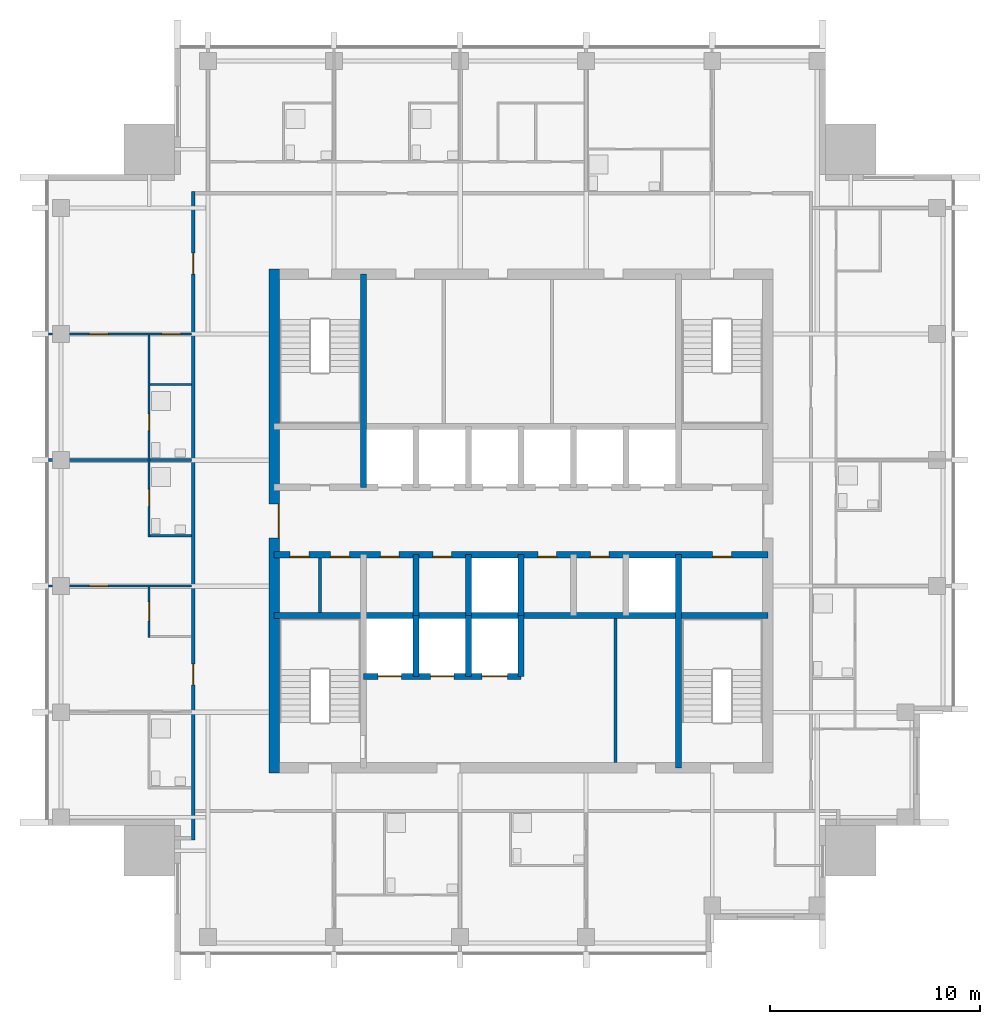
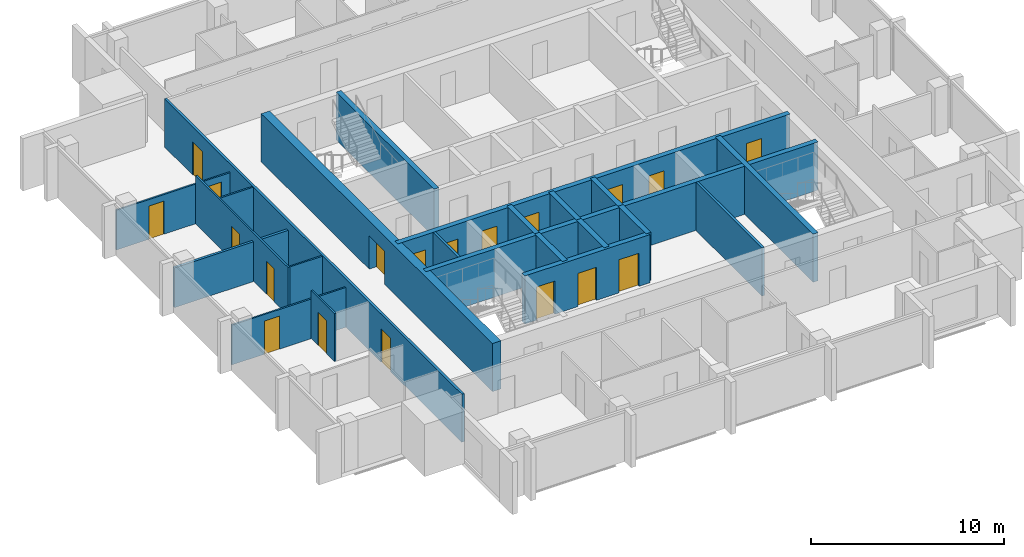
# One storey, part 4 of 9: 22 walls, 19 doors, 19 openings.
"""IFC4 building model written with IfcOpenShell, lengths in metres."""

import ifcopenshell
import ifcopenshell.guid

model = None  # the IFC model being written
_history = None  # IfcOwnerHistory: only IFC2X3 demands one
_inside = {}  # id of a spatial element -> (the spatial element, [elements in it])
_under = {}  # id of a project, library or spatial element -> (it, [spatial elements below it])
_declared = {}  # id of a project -> (the project, [libraries it declares])
_typed = {}  # id of a type object -> (the type object, [elements of that type])
_made_of = {}  # id of a material, layer set ... -> (it, [elements and type objects made of it])


def new_model(schema):
    """Start an empty IFC model of exactly this schema.

    Asked for "IFC4X3", IfcOpenShell would pick the latest addendum, in which some entities
    have other attributes; the version numbers below select the first issue.
    IFC2X3 requires an IfcOwnerHistory on every rooted entity: one is made here for all.
    """
    global model, _history
    if schema == "IFC4X3":
        model = ifcopenshell.file(schema_version=(4, 3, 0, 0))
    else:
        model = ifcopenshell.file(schema=schema)
    _inside.clear()
    _under.clear()
    _declared.clear()
    _typed.clear()
    _made_of.clear()
    _history = None
    if model.schema == "IFC2X3":
        org = make("IfcOrganization", Name="unknown")
        user = make(
            "IfcPersonAndOrganization",
            ThePerson=make("IfcPerson", FamilyName="unknown"),
            TheOrganization=org,
        )
        app = make(
            "IfcApplication",
            ApplicationDeveloper=org,
            Version="unknown",
            ApplicationFullName="unknown",
            ApplicationIdentifier="unknown",
        )
        _history = make(
            "IfcOwnerHistory",
            OwningUser=user,
            OwningApplication=app,
            ChangeAction="ADDED",
            CreationDate=0,
        )
    return model


def make(cls, **values):
    """One entity of the class cls with the attributes given. An attribute that is None is left unset."""
    return model.create_entity(
        cls, **{name: value for name, value in values.items() if value is not None}
    )


def rooted(cls, **values):
    """An entity with a GlobalId (a new one), such as an element, a storey or a relation."""
    return make(cls, GlobalId=ifcopenshell.guid.new(), OwnerHistory=_history, **values)


def si_unit(unit_type, name, prefix=None):
    """IfcSIUnit, for example si_unit("LENGTHUNIT", "METRE", prefix="MILLI")."""
    return make("IfcSIUnit", UnitType=unit_type, Prefix=prefix, Name=name)


def assignment(units):
    """IfcUnitAssignment: the units of a project."""
    return None if units is None else make("IfcUnitAssignment", Units=units)


def point(xyz):
    """IfcCartesianPoint."""
    return None if xyz is None else make("IfcCartesianPoint", Coordinates=xyz)


def direction(xyz):
    """IfcDirection."""
    return None if xyz is None else make("IfcDirection", DirectionRatios=xyz)


def frame(location, z_axis=None, x_axis=None):
    """IfcAxis2Placement3D, a coordinate frame: its origin and axes. An axis left out is left unset."""
    return make(
        "IfcAxis2Placement3D",
        Location=point(location),
        Axis=direction(z_axis),
        RefDirection=direction(x_axis),
    )


def frame_2d(location, x_axis=None):
    """IfcAxis2Placement2D, a coordinate frame in the plane: its origin and x axis."""
    return make(
        "IfcAxis2Placement2D", Location=point(location), RefDirection=direction(x_axis)
    )


def origin():
    """The frame at (0, 0, 0) with its axes left unset."""
    return frame((0.0, 0.0, 0.0))


def place(relative_to, where):
    """IfcLocalPlacement: puts the frame where relative to a parent placement (None: the world)."""
    return make(
        "IfcLocalPlacement", PlacementRelTo=relative_to, RelativePlacement=where
    )


def context(
    kind, dimensions, precision=None, world=None, true_north=None, identifier=None
):
    """IfcGeometricRepresentationContext, for example the 3D "Model" context."""
    return make(
        "IfcGeometricRepresentationContext",
        ContextIdentifier=identifier,
        ContextType=kind,
        CoordinateSpaceDimension=dimensions,
        Precision=precision,
        WorldCoordinateSystem=world,
        TrueNorth=true_north,
    )


def subcontext(parent, identifier, kind, view, scale=None):
    """IfcGeometricRepresentationSubContext, for example "Body" below "Model"."""
    return make(
        "IfcGeometricRepresentationSubContext",
        ContextIdentifier=identifier,
        ContextType=kind,
        ParentContext=parent,
        TargetScale=scale,
        TargetView=view,
    )


def project(units=None, contexts=None):
    """IfcProject with its units and contexts."""
    return rooted(
        "IfcProject",
        Name="project",
        RepresentationContexts=contexts,
        UnitsInContext=assignment(units),
    )


def spatial(cls, under=None, at=None, **own):
    """A site, building, storey or space (cls), placed at a placement, below another one or the project."""
    s = rooted(cls, ObjectPlacement=at, **own)
    if under is not None:
        _under.setdefault(under.id(), (under, []))[1].append(s)
    return s


def profile(cls, at=None, kind="AREA", **sizes):
    """A parametric profile (cls). Its sizes go by their IFC names, for example OverallWidth=200.0."""
    return make(cls, ProfileType=kind, Position=at, **sizes)


def rectangle(**sizes):
    """IfcRectangleProfileDef."""
    return profile("IfcRectangleProfileDef", **sizes)


def extrude(swept, where, along, depth):
    """IfcExtrudedAreaSolid: the profile swept, set in the frame where, extruded along a direction by depth."""
    return make(
        "IfcExtrudedAreaSolid",
        SweptArea=swept,
        Position=where,
        ExtrudedDirection=direction(along),
        Depth=depth,
    )


def shape(context_of_items, identifier, shape_type, items):
    """IfcShapeRepresentation: the items that make up one representation, for example the "Body"."""
    return make(
        "IfcShapeRepresentation",
        ContextOfItems=context_of_items,
        RepresentationIdentifier=identifier,
        RepresentationType=shape_type,
        Items=items,
    )


def material(Name=None, Category=None):
    """IfcMaterial."""
    return make("IfcMaterial", Name=Name, Category=Category)


def layer(
    of_material, thickness, ventilated=None, Name=None, Category=None, Priority=None
):
    """IfcMaterialLayer: one layer of a wall or slab, of a material (None: an air gap)."""
    return make(
        "IfcMaterialLayer",
        Material=of_material,
        LayerThickness=thickness,
        IsVentilated=ventilated,
        Name=Name,
        Category=Category,
        Priority=Priority,
    )


def layer_set(layers, Name=None):
    """IfcMaterialLayerSet."""
    return make("IfcMaterialLayerSet", MaterialLayers=layers, LayerSetName=Name)


def made_of(thing, what):
    """Note that an element or type object is made of a material, layer set ...; save() writes the relation."""
    if what is not None:
        _made_of.setdefault(what.id(), (what, []))[1].append(thing)
    return thing


def type_object(cls, material=None, **own):
    """A type object (cls), such as IfcWallType, which elements share."""
    return made_of(rooted(cls, **own), material)


def element(
    cls,
    number,
    at=None,
    inside=None,
    cuts=None,
    type_object=None,
    material=None,
    context=None,
    identifier="Body",
    shape_type=None,
    held_by="IfcProductDefinitionShape",
    body=None,
    shapes=None,
    **own,
):
    """One element of the class cls, such as IfcWall. Its Tag is "e" and its number.

    at: its placement. inside: the storey or other place that contains it. cuts: it is an
    opening in that element (IfcRelVoidsElement). A single representation is given by context,
    identifier, shape_type and body (its items); several are given by shapes. held_by: the class
    of the entity that holds the representations. save() writes the other relations.
    """
    e = rooted(cls, Tag="e%d" % number, ObjectPlacement=at, **own)
    if body is not None:
        shapes = [shape(context, identifier, shape_type, body)]
    if shapes is not None:
        e.Representation = make(held_by, Representations=shapes)
    if inside is not None:
        _inside.setdefault(inside.id(), (inside, []))[1].append(e)
    if cuts is not None:
        rooted(
            "IfcRelVoidsElement", RelatingBuildingElement=cuts, RelatedOpeningElement=e
        )
    if type_object is not None:
        _typed.setdefault(type_object.id(), (type_object, []))[1].append(e)
    return made_of(e, material)


def fill(opening, filler):
    """IfcRelFillsElement: the door or window that sits in an opening."""
    return rooted(
        "IfcRelFillsElement",
        RelatingOpeningElement=opening,
        RelatedBuildingElement=filler,
    )


def aggregate(whole, parts):
    """IfcRelAggregates: a whole, such as a stair, and the parts it consists of."""
    return rooted("IfcRelAggregates", RelatingObject=whole, RelatedObjects=parts)


def save(model, path):
    """Write the relations noted so far, then the file.

    IfcRelAggregates (storeys below a building ...), IfcRelContainedInSpatialStructure (elements
    in a storey), IfcRelDefinesByType, IfcRelAssociatesMaterial and IfcRelDeclares: one each for
    every whole, place, type object, material and project.
    """
    for whole, parts in _under.values():
        aggregate(whole, parts)
    for where, things in _inside.values():
        rooted(
            "IfcRelContainedInSpatialStructure",
            RelatedElements=things,
            RelatingStructure=where,
        )
    for kind, things in _typed.values():
        rooted("IfcRelDefinesByType", RelatedObjects=things, RelatingType=kind)
    for what, things in _made_of.values():
        rooted("IfcRelAssociatesMaterial", RelatedObjects=things, RelatingMaterial=what)
    for by, libraries in _declared.values():
        rooted("IfcRelDeclares", RelatingContext=by, RelatedDefinitions=libraries)
    model.write(path)


model = new_model("IFC4")

# Units and contexts
model_context = context("Model", 3, precision=1e-05, world=origin(), true_north=direction((0.0, 1.0)))
body_context = subcontext(model_context, "Body", "Model", "MODEL_VIEW")
ifc_project = project(units=[si_unit("LENGTHUNIT", "METRE"), si_unit("AREAUNIT", "SQUARE_METRE"), si_unit("VOLUMEUNIT", "CUBIC_METRE"), si_unit("PLANEANGLEUNIT", "RADIAN"), si_unit("MASSUNIT", "GRAM", prefix="KILO")], contexts=[model_context])

# Site, building, storey
site_placement = place(None, origin())
site = spatial("IfcSite", under=ifc_project, at=site_placement, CompositionType="ELEMENT")
building_placement = place(site_placement, origin())
building = spatial("IfcBuilding", under=site, at=building_placement, Name="Amberfall Residences", CompositionType="ELEMENT")
storey_placement = place(building_placement, frame((0.0, 0.0, 252.10009765625)))
storey = spatial("IfcBuildingStorey", under=building, at=storey_placement, Name="L67", CompositionType="ELEMENT", Elevation=252.10009765625)

# Wall
ifc_material_1 = material(Name="Concrete C50", Category="concrete")
ifc_layer_1 = layer(ifc_material_1, 0.300048828125)
ifc_layer_set_1 = layer_set([ifc_layer_1], Name="Core wall 300 C50")
wall_type_1 = type_object("IfcWallType", Name="Core wall 300 C50", PredefinedType="SHEAR", material=ifc_layer_set_1)
wall_1_placement = place(storey_placement, frame((62.75, 41.0, 0.0), z_axis=(0.0, 0.0, 1.0), x_axis=(1.0, 0.0, 0.0)))
element("IfcWall", 1, at=wall_1_placement, inside=storey, type_object=wall_type_1, Name="Core wall RW10 L67 H75", PredefinedType="SHEAR", context=body_context, shape_type="SweptSolid", body=[
    extrude(rectangle(XDim=23.5, YDim=0.300048828125, at=frame_2d((11.75, 0.0))), origin(), (0.0, 0.0, 1.0), 3.0498046875),
])

# Wall, openings, doors
wall_2_placement = place(storey_placement, frame((62.75, 43.89990234375, 0.0), z_axis=(0.0, 0.0, 1.0), x_axis=(1.0, 0.0, 0.0)))
wall_2 = element("IfcWall", 2, at=wall_2_placement, inside=storey, type_object=wall_type_1, Name="Core wall RW10 L67 H104", PredefinedType="SHEAR", context=body_context, shape_type="SweptSolid", body=[
    extrude(rectangle(XDim=23.5, YDim=0.300048828125, at=frame_2d((11.75, 0.0))), origin(), (0.0, 0.0, 1.0), 3.0498046875),
])
opening_1_placement = place(wall_2_placement, frame((0.762451171875, 0.0, 0.0)))
opening_1 = element("IfcOpeningElement", 3, at=opening_1_placement, cuts=wall_2, Name="Opening RD1", PredefinedType="OPENING", context=body_context, shape_type="SweptSolid", body=[
    extrude(rectangle(XDim=0.89990234375, YDim=2.10009765625, at=frame_2d((0.449951171875, 1.050048828125))), frame((0.0, 0.159912109375, 0.0), z_axis=(0.0, -1.0, 0.0), x_axis=(1.0, 0.0, 0.0)), (0.0, 0.0, 1.0), 0.320068359375),
])
opening_2_placement = place(wall_2_placement, frame((2.6875, 0.0, 0.0)))
opening_2 = element("IfcOpeningElement", 4, at=opening_2_placement, cuts=wall_2, Name="Opening RD1", PredefinedType="OPENING", context=body_context, shape_type="SweptSolid", body=[
    extrude(rectangle(XDim=0.89990234375, YDim=2.10009765625, at=frame_2d((0.449951171875, 1.050048828125))), frame((0.0, 0.159912109375, 0.0), z_axis=(0.0, -1.0, 0.0), x_axis=(1.0, 0.0, 0.0)), (0.0, 0.0, 1.0), 0.320068359375),
])
opening_3_placement = place(wall_2_placement, frame((20.875, 0.0, 0.0)))
opening_3 = element("IfcOpeningElement", 5, at=opening_3_placement, cuts=wall_2, Name="Opening RD1", PredefinedType="OPENING", context=body_context, shape_type="SweptSolid", body=[
    extrude(rectangle(XDim=0.89990234375, YDim=2.10009765625, at=frame_2d((0.449951171875, 1.050048828125))), frame((0.0, 0.159912109375, 0.0), z_axis=(0.0, -1.0, 0.0), x_axis=(1.0, 0.0, 0.0)), (0.0, 0.0, 1.0), 0.320068359375),
])
opening_4_placement = place(wall_2_placement, frame((5.050048828125, 0.0, 0.0)))
opening_4 = element("IfcOpeningElement", 6, at=opening_4_placement, cuts=wall_2, Name="Opening RD1", PredefinedType="OPENING", context=body_context, shape_type="SweptSolid", body=[
    extrude(rectangle(XDim=0.89990234375, YDim=2.10009765625, at=frame_2d((0.449951171875, 1.050048828125))), frame((0.0, 0.159912109375, 0.0), z_axis=(0.0, -1.0, 0.0), x_axis=(1.0, 0.0, 0.0)), (0.0, 0.0, 1.0), 0.320068359375),
])
opening_5_placement = place(wall_2_placement, frame((7.550048828125, 0.0, 0.0)))
opening_5 = element("IfcOpeningElement", 7, at=opening_5_placement, cuts=wall_2, Name="Opening RD1", PredefinedType="OPENING", context=body_context, shape_type="SweptSolid", body=[
    extrude(rectangle(XDim=0.89990234375, YDim=2.10009765625, at=frame_2d((0.449951171875, 1.050048828125))), frame((0.0, 0.159912109375, 0.0), z_axis=(0.0, -1.0, 0.0), x_axis=(1.0, 0.0, 0.0)), (0.0, 0.0, 1.0), 0.320068359375),
])
opening_6_placement = place(wall_2_placement, frame((12.550048828125, 0.0, 0.0)))
opening_6 = element("IfcOpeningElement", 8, at=opening_6_placement, cuts=wall_2, Name="Opening RD1", PredefinedType="OPENING", context=body_context, shape_type="SweptSolid", body=[
    extrude(rectangle(XDim=0.89990234375, YDim=2.10009765625, at=frame_2d((0.449951171875, 1.050048828125))), frame((0.0, 0.159912109375, 0.0), z_axis=(0.0, -1.0, 0.0), x_axis=(1.0, 0.0, 0.0)), (0.0, 0.0, 1.0), 0.320068359375),
])
opening_7_placement = place(wall_2_placement, frame((15.050048828125, 0.0, 0.0)))
opening_7 = element("IfcOpeningElement", 9, at=opening_7_placement, cuts=wall_2, Name="Opening RD1", PredefinedType="OPENING", context=body_context, shape_type="SweptSolid", body=[
    extrude(rectangle(XDim=0.89990234375, YDim=2.10009765625, at=frame_2d((0.449951171875, 1.050048828125))), frame((0.0, 0.159912109375, 0.0), z_axis=(0.0, -1.0, 0.0), x_axis=(1.0, 0.0, 0.0)), (0.0, 0.0, 1.0), 0.320068359375),
])
ifc_material_2 = material(Name="Steel fire door set", Category="steel")
door_type_1 = type_object("IfcDoorType", Name="Service room door 900 x 2100", OperationType="SINGLE_SWING_LEFT", PredefinedType="DOOR", material=ifc_material_2)
door_1_placement = place(opening_1_placement, origin())
door_1 = element("IfcDoor", 10, at=door_1_placement, inside=storey, type_object=door_type_1, Name="RD1 L67", OperationType="SINGLE_SWING_LEFT", OverallHeight=2.10009765625, OverallWidth=0.89990234375, PredefinedType="DOOR", context=body_context, shape_type="SweptSolid", body=[
    extrude(rectangle(XDim=0.89990234375, YDim=2.10009765625, at=frame_2d((0.449951171875, 1.050048828125))), frame((0.0, -0.08740234375, 0.0), z_axis=(0.0, -1.0, 0.0), x_axis=(1.0, 0.0, 0.0)), (0.0, 0.0, 1.0), 0.050048828125),
])
fill(opening_1, door_1)
door_2_placement = place(opening_2_placement, origin())
door_2 = element("IfcDoor", 11, at=door_2_placement, inside=storey, type_object=door_type_1, Name="RD1 L67", OperationType="SINGLE_SWING_RIGHT", OverallHeight=2.10009765625, OverallWidth=0.89990234375, PredefinedType="DOOR", context=body_context, shape_type="SweptSolid", body=[
    extrude(rectangle(XDim=0.89990234375, YDim=2.10009765625, at=frame_2d((0.449951171875, 1.050048828125))), frame((0.0, -0.08740234375, 0.0), z_axis=(0.0, -1.0, 0.0), x_axis=(1.0, 0.0, 0.0)), (0.0, 0.0, 1.0), 0.050048828125),
])
fill(opening_2, door_2)
door_3_placement = place(opening_3_placement, origin())
door_3 = element("IfcDoor", 12, at=door_3_placement, inside=storey, type_object=door_type_1, Name="RD1 L67", OperationType="SINGLE_SWING_LEFT", OverallHeight=2.10009765625, OverallWidth=0.89990234375, PredefinedType="DOOR", context=body_context, shape_type="SweptSolid", body=[
    extrude(rectangle(XDim=0.89990234375, YDim=2.10009765625, at=frame_2d((0.449951171875, 1.050048828125))), frame((0.0, -0.08740234375, 0.0), z_axis=(0.0, -1.0, 0.0), x_axis=(1.0, 0.0, 0.0)), (0.0, 0.0, 1.0), 0.050048828125),
])
fill(opening_3, door_3)
door_4_placement = place(opening_4_placement, origin())
door_4 = element("IfcDoor", 13, at=door_4_placement, inside=storey, type_object=door_type_1, Name="RD1 L67", OperationType="SINGLE_SWING_RIGHT", OverallHeight=2.10009765625, OverallWidth=0.89990234375, PredefinedType="DOOR", context=body_context, shape_type="SweptSolid", body=[
    extrude(rectangle(XDim=0.89990234375, YDim=2.10009765625, at=frame_2d((0.449951171875, 1.050048828125))), frame((0.0, -0.08740234375, 0.0), z_axis=(0.0, -1.0, 0.0), x_axis=(1.0, 0.0, 0.0)), (0.0, 0.0, 1.0), 0.050048828125),
])
fill(opening_4, door_4)
door_5_placement = place(opening_5_placement, origin())
door_5 = element("IfcDoor", 14, at=door_5_placement, inside=storey, type_object=door_type_1, Name="RD1 L67", OperationType="SINGLE_SWING_LEFT", OverallHeight=2.10009765625, OverallWidth=0.89990234375, PredefinedType="DOOR", context=body_context, shape_type="SweptSolid", body=[
    extrude(rectangle(XDim=0.89990234375, YDim=2.10009765625, at=frame_2d((0.449951171875, 1.050048828125))), frame((0.0, -0.08740234375, 0.0), z_axis=(0.0, -1.0, 0.0), x_axis=(1.0, 0.0, 0.0)), (0.0, 0.0, 1.0), 0.050048828125),
])
fill(opening_5, door_5)
door_6_placement = place(opening_6_placement, origin())
door_6 = element("IfcDoor", 15, at=door_6_placement, inside=storey, type_object=door_type_1, Name="RD1 L67", OperationType="SINGLE_SWING_LEFT", OverallHeight=2.10009765625, OverallWidth=0.89990234375, PredefinedType="DOOR", context=body_context, shape_type="SweptSolid", body=[
    extrude(rectangle(XDim=0.89990234375, YDim=2.10009765625, at=frame_2d((0.449951171875, 1.050048828125))), frame((0.0, -0.08740234375, 0.0), z_axis=(0.0, -1.0, 0.0), x_axis=(1.0, 0.0, 0.0)), (0.0, 0.0, 1.0), 0.050048828125),
])
fill(opening_6, door_6)
door_7_placement = place(opening_7_placement, origin())
door_7 = element("IfcDoor", 16, at=door_7_placement, inside=storey, type_object=door_type_1, Name="RD1 L67", OperationType="SINGLE_SWING_RIGHT", OverallHeight=2.10009765625, OverallWidth=0.89990234375, PredefinedType="DOOR", context=body_context, shape_type="SweptSolid", body=[
    extrude(rectangle(XDim=0.89990234375, YDim=2.10009765625, at=frame_2d((0.449951171875, 1.050048828125))), frame((0.0, -0.08740234375, 0.0), z_axis=(0.0, -1.0, 0.0), x_axis=(1.0, 0.0, 0.0)), (0.0, 0.0, 1.0), 0.050048828125),
])
fill(opening_7, door_7)

# Walls
for number, where, z_axis, x_axis, name in (
    (17, (67.0, 47.10009765625, 0.0), (0.0, 0.0, 1.0), (0.0, 1.0, 0.0), "Core wall RW10 L67 V45N"),
    (18, (82.0, 33.75, 0.0), (0.0, 0.0, 1.0), (0.0, 1.0, 0.0), "Core wall RW10 L67 V195S"),
):
    element("IfcWall", number, at=place(storey_placement, frame(where, z_axis=z_axis, x_axis=x_axis)), inside=storey, type_object=wall_type_1, Name=name, PredefinedType="SHEAR", context=body_context, shape_type="SweptSolid", body=[
        extrude(rectangle(XDim=10.14990234375, YDim=0.300048828125, at=frame_2d((5.074951171875, 0.0))), origin(), (0.0, 0.0, 1.0), 3.0498046875),
    ])
for number, where, z_axis, x_axis, name in (
    (19, (69.5, 41.0, 0.0), (0.0, 0.0, 1.0), (0.0, 1.0, 0.0), "Core wall RW10 L67 LPD1"),
    (20, (72.0, 41.0, 0.0), (0.0, 0.0, 1.0), (0.0, 1.0, 0.0), "Core wall RW10 L67 LPD2"),
    (21, (74.5, 41.0, 0.0), (0.0, 0.0, 1.0), (0.0, 1.0, 0.0), "Core wall RW10 L67 LPD3"),
):
    element("IfcWall", number, at=place(storey_placement, frame(where, z_axis=z_axis, x_axis=x_axis)), inside=storey, type_object=wall_type_1, Name=name, PredefinedType="SHEAR", context=body_context, shape_type="SweptSolid", body=[
        extrude(rectangle(XDim=2.89990234375, YDim=0.300048828125, at=frame_2d((1.449951171875, 0.0))), origin(), (0.0, 0.0, 1.0), 3.0498046875),
    ])

# Wall, openings, doors
wall_3_placement = place(storey_placement, frame((67.0, 38.10009765625, 0.0), z_axis=(0.0, 0.0, 1.0), x_axis=(1.0, 0.0, 0.0)))
wall_3 = element("IfcWall", 22, at=wall_3_placement, inside=storey, type_object=wall_type_1, Name="Core wall RW10 L67 FFF", PredefinedType="SHEAR", context=body_context, shape_type="SweptSolid", body=[
    extrude(rectangle(XDim=7.5, YDim=0.300048828125, at=frame_2d((3.75, 0.0))), origin(), (0.0, 0.0, 1.0), 3.0498046875),
])
opening_8_placement = place(wall_3_placement, frame((0.699951171875, 0.0, 0.0)))
opening_8 = element("IfcOpeningElement", 23, at=opening_8_placement, cuts=wall_3, Name="Opening LD2", PredefinedType="OPENING", context=body_context, shape_type="SweptSolid", body=[
    extrude(rectangle(XDim=1.10009765625, YDim=2.10009765625, at=frame_2d((0.550048828125, 1.050048828125))), frame((0.0, 0.159912109375, 0.0), z_axis=(0.0, -1.0, 0.0), x_axis=(1.0, 0.0, 0.0)), (0.0, 0.0, 1.0), 0.320068359375),
])
opening_9_placement = place(wall_3_placement, frame((3.199951171875, 0.0, 0.0)))
opening_9 = element("IfcOpeningElement", 24, at=opening_9_placement, cuts=wall_3, Name="Opening LD2", PredefinedType="OPENING", context=body_context, shape_type="SweptSolid", body=[
    extrude(rectangle(XDim=1.10009765625, YDim=2.10009765625, at=frame_2d((0.550048828125, 1.050048828125))), frame((0.0, 0.159912109375, 0.0), z_axis=(0.0, -1.0, 0.0), x_axis=(1.0, 0.0, 0.0)), (0.0, 0.0, 1.0), 0.320068359375),
])
opening_10_placement = place(wall_3_placement, frame((5.64990234375, 0.0, 0.0)))
opening_10 = element("IfcOpeningElement", 25, at=opening_10_placement, cuts=wall_3, Name="Opening LD3", PredefinedType="OPENING", context=body_context, shape_type="SweptSolid", body=[
    extrude(rectangle(XDim=1.199951171875, YDim=2.10009765625, at=frame_2d((0.60009765625, 1.050048828125))), frame((0.0, 0.159912109375, 0.0), z_axis=(0.0, -1.0, 0.0), x_axis=(1.0, 0.0, 0.0)), (0.0, 0.0, 1.0), 0.320068359375),
])
door_type_2 = type_object("IfcDoorType", Name="Firefighting lift landing door 1100 x 2100", OperationType="DOUBLE_DOOR_SLIDING", PredefinedType="DOOR", material=ifc_material_2)
door_8_placement = place(opening_8_placement, origin())
door_8 = element("IfcDoor", 26, at=door_8_placement, inside=storey, type_object=door_type_2, Name="Landing door FF1 L67", OperationType="DOUBLE_DOOR_SLIDING", OverallHeight=2.10009765625, OverallWidth=1.10009765625, PredefinedType="DOOR", context=body_context, shape_type="SweptSolid", body=[
    extrude(rectangle(XDim=1.10009765625, YDim=2.10009765625, at=frame_2d((0.550048828125, 1.050048828125))), frame((0.0, 0.02490234375, 0.0), z_axis=(0.0, -1.0, 0.0), x_axis=(1.0, 0.0, 0.0)), (0.0, 0.0, 1.0), 0.050048828125),
])
fill(opening_8, door_8)
door_9_placement = place(opening_9_placement, origin())
door_9 = element("IfcDoor", 27, at=door_9_placement, inside=storey, type_object=door_type_2, Name="Landing door FF2 L67", OperationType="DOUBLE_DOOR_SLIDING", OverallHeight=2.10009765625, OverallWidth=1.10009765625, PredefinedType="DOOR", context=body_context, shape_type="SweptSolid", body=[
    extrude(rectangle(XDim=1.10009765625, YDim=2.10009765625, at=frame_2d((0.550048828125, 1.050048828125))), frame((0.0, 0.02490234375, 0.0), z_axis=(0.0, -1.0, 0.0), x_axis=(1.0, 0.0, 0.0)), (0.0, 0.0, 1.0), 0.050048828125),
])
fill(opening_9, door_9)
door_type_3 = type_object("IfcDoorType", Name="Service lift landing door 1200 x 2100", OperationType="DOUBLE_DOOR_SLIDING", PredefinedType="DOOR", material=ifc_material_2)
door_10_placement = place(opening_10_placement, origin())
door_10 = element("IfcDoor", 28, at=door_10_placement, inside=storey, type_object=door_type_3, Name="Landing door SL1 L67", OperationType="DOUBLE_DOOR_SLIDING", OverallHeight=2.10009765625, OverallWidth=1.199951171875, PredefinedType="DOOR", context=body_context, shape_type="SweptSolid", body=[
    extrude(rectangle(XDim=1.199951171875, YDim=2.10009765625, at=frame_2d((0.60009765625, 1.050048828125))), frame((0.0, 0.02490234375, 0.0), z_axis=(0.0, -1.0, 0.0), x_axis=(1.0, 0.0, 0.0)), (0.0, 0.0, 1.0), 0.050048828125),
])
fill(opening_10, door_10)

# Walls
for number, where, z_axis, x_axis, name in (
    (29, (69.5, 38.10009765625, 0.0), (0.0, 0.0, 1.0), (0.0, 1.0, 0.0), "Core wall RW10 L67 FFD1"),
    (30, (72.0, 38.10009765625, 0.0), (0.0, 0.0, 1.0), (0.0, 1.0, 0.0), "Core wall RW10 L67 FFD2"),
    (31, (74.5, 38.10009765625, 0.0), (0.0, 0.0, 1.0), (0.0, 1.0, 0.0), "Core wall RW10 L67 FFD3"),
):
    element("IfcWall", number, at=place(storey_placement, frame(where, z_axis=z_axis, x_axis=x_axis)), inside=storey, type_object=wall_type_1, Name=name, PredefinedType="SHEAR", context=body_context, shape_type="SweptSolid", body=[
        extrude(rectangle(XDim=2.89990234375, YDim=0.300048828125, at=frame_2d((1.449951171875, 0.0))), origin(), (0.0, 0.0, 1.0), 3.0498046875),
    ])

# Wall, opening, door
ifc_layer_2 = layer(ifc_material_1, 0.5)
ifc_layer_set_2 = layer_set([ifc_layer_2], Name="Core wall 500 C50")
wall_type_2 = type_object("IfcWallType", Name="Core wall 500 C50", PredefinedType="SHEAR", material=ifc_layer_set_2)
wall_4_placement = place(storey_placement, frame((62.75, 33.5, 0.0), z_axis=(0.0, 0.0, 1.0), x_axis=(0.0, 1.0, 0.0)))
wall_4 = element("IfcWall", 32, at=wall_4_placement, inside=storey, type_object=wall_type_2, Name="Core wall RW9 L67 OW", PredefinedType="SHEAR", context=body_context, shape_type="SweptSolid", body=[
    extrude(rectangle(XDim=24.0, YDim=0.5, at=frame_2d((12.0, 0.0))), origin(), (0.0, 0.0, 1.0), 3.0498046875),
])
opening_11_placement = place(wall_4_placement, frame((11.199951171875, 0.0, 0.0)))
opening_11 = element("IfcOpeningElement", 33, at=opening_11_placement, cuts=wall_4, Name="Opening LB1", PredefinedType="OPENING", context=body_context, shape_type="SweptSolid", body=[
    extrude(rectangle(XDim=1.60009765625, YDim=2.10009765625, at=frame_2d((0.800048828125, 1.050048828125))), frame((0.0, 0.260009765625, 0.0), z_axis=(0.0, -1.0, 0.0), x_axis=(1.0, 0.0, 0.0)), (0.0, 0.0, 1.0), 0.52001953125),
])
door_type_4 = type_object("IfcDoorType", Name="Lift lobby double door 1600 x 2100", OperationType="DOUBLE_DOOR_SINGLE_SWING", PredefinedType="DOOR", material=ifc_material_2)
door_11_placement = place(opening_11_placement, origin())
door_11 = element("IfcDoor", 34, at=door_11_placement, inside=storey, type_object=door_type_4, Name="LB1 L67", OperationType="DOUBLE_DOOR_SINGLE_SWING", OverallHeight=2.10009765625, OverallWidth=1.60009765625, PredefinedType="DOOR", context=body_context, shape_type="SweptSolid", body=[
    extrude(rectangle(XDim=1.60009765625, YDim=2.10009765625, at=frame_2d((0.800048828125, 1.050048828125))), frame((0.0, -0.1875, 0.0), z_axis=(0.0, -1.0, 0.0), x_axis=(1.0, 0.0, 0.0)), (0.0, 0.0, 1.0), 0.050048828125),
])
fill(opening_11, door_11)

ifc_material_3 = material(Name="Gypsum board on metal stud")
ifc_layer_3 = layer(ifc_material_3, 0.10009765625)
ifc_layer_set_3 = layer_set([ifc_layer_3], Name="Flat partition 100")
wall_type_3 = type_object("IfcWallType", Name="Flat partition 100", PredefinedType="PARTITIONING", material=ifc_layer_set_3)
wall_5_placement = place(storey_placement, frame((56.800048828125, 42.35009765625, 0.0), z_axis=(0.0, 0.0, 1.0), x_axis=(0.0, -1.0, 0.0)))
wall_5 = element("IfcWall", 35, at=wall_5_placement, inside=storey, type_object=wall_type_3, Name="Partition 002", PredefinedType="PARTITIONING", context=body_context, shape_type="SweptSolid", body=[
    extrude(rectangle(XDim=2.400146484375, YDim=0.10009765625, at=frame_2d((1.2001953125, 0.0))), origin(), (0.0, 0.0, 1.0), 3.0498046875),
])
opening_12_placement = place(wall_5_placement, frame((0.699951171875, 0.0, 0.0)))
opening_12 = element("IfcOpeningElement", 36, at=opening_12_placement, cuts=wall_5, Name="Opening D41", PredefinedType="OPENING", context=body_context, shape_type="SweptSolid", body=[
    extrude(rectangle(XDim=0.89990234375, YDim=2.10009765625, at=frame_2d((0.449951171875, 1.050048828125))), frame((0.0, 0.06005859375, 0.0), z_axis=(0.0, -1.0, 0.0), x_axis=(1.0, 0.0, 0.0)), (0.0, 0.0, 1.0), 0.1201171875),
])
ifc_material_4 = material(Name="Timber", Category="wood")
door_type_5 = type_object("IfcDoorType", Name="Internal door 900 x 2100", OperationType="SINGLE_SWING_LEFT", PredefinedType="DOOR", material=ifc_material_4)
door_12_placement = place(opening_12_placement, origin())
door_12 = element("IfcDoor", 37, at=door_12_placement, inside=storey, type_object=door_type_5, Name="Door 6707 kitchen", OperationType="SINGLE_SWING_LEFT", OverallHeight=2.10009765625, OverallWidth=0.89990234375, PredefinedType="DOOR", context=body_context, shape_type="SweptSolid", body=[
    extrude(rectangle(XDim=0.89990234375, YDim=2.10009765625, at=frame_2d((0.449951171875, 1.050048828125))), frame((0.0, 0.02490234375, 0.0), z_axis=(0.0, -1.0, 0.0), x_axis=(1.0, 0.0, 0.0)), (0.0, 0.0, 1.0), 0.050048828125),
])
fill(opening_12, door_12)

# Wall, openings, doors
wall_6_placement = place(storey_placement, frame((56.800048828125, 54.35009765625, 0.0), z_axis=(0.0, 0.0, 1.0), x_axis=(0.0, -1.0, 0.0)))
wall_6 = element("IfcWall", 38, at=wall_6_placement, inside=storey, type_object=wall_type_3, Name="Partition 003", PredefinedType="PARTITIONING", context=body_context, shape_type="SweptSolid", body=[
    extrude(rectangle(XDim=9.60009765625, YDim=0.10009765625, at=frame_2d((4.800048828125, 0.0))), origin(), (0.0, 0.0, 1.0), 3.0498046875),
])
opening_13_placement = place(wall_6_placement, frame((7.35009765625, 0.0, 0.0)))
opening_13 = element("IfcOpeningElement", 39, at=opening_13_placement, cuts=wall_6, Name="Opening D42", PredefinedType="OPENING", context=body_context, shape_type="SweptSolid", body=[
    extrude(rectangle(XDim=0.800048828125, YDim=2.10009765625, at=frame_2d((0.39990234375, 1.050048828125))), frame((0.0, 0.06005859375, 0.0), z_axis=(0.0, -1.0, 0.0), x_axis=(1.0, 0.0, 0.0)), (0.0, 0.0, 1.0), 0.1201171875),
])
opening_14_placement = place(wall_6_placement, frame((3.75, 0.0, 0.0)))
opening_14 = element("IfcOpeningElement", 40, at=opening_14_placement, cuts=wall_6, Name="Opening D42", PredefinedType="OPENING", context=body_context, shape_type="SweptSolid", body=[
    extrude(rectangle(XDim=0.800048828125, YDim=2.10009765625, at=frame_2d((0.39990234375, 1.050048828125))), frame((0.0, 0.06005859375, 0.0), z_axis=(0.0, -1.0, 0.0), x_axis=(1.0, 0.0, 0.0)), (0.0, 0.0, 1.0), 0.1201171875),
])
door_type_6 = type_object("IfcDoorType", Name="Bathroom door 800 x 2100", OperationType="SINGLE_SWING_LEFT", PredefinedType="DOOR", material=ifc_material_4)
door_13_placement = place(opening_13_placement, origin())
door_13 = element("IfcDoor", 41, at=door_13_placement, inside=storey, type_object=door_type_6, Name="Door 6707 bath2", OperationType="SINGLE_SWING_LEFT", OverallHeight=2.10009765625, OverallWidth=0.800048828125, PredefinedType="DOOR", context=body_context, shape_type="SweptSolid", body=[
    extrude(rectangle(XDim=0.800048828125, YDim=2.10009765625, at=frame_2d((0.39990234375, 1.050048828125))), frame((0.0, 0.02490234375, 0.0), z_axis=(0.0, -1.0, 0.0), x_axis=(1.0, 0.0, 0.0)), (0.0, 0.0, 1.0), 0.050048828125),
])
fill(opening_13, door_13)
door_14_placement = place(opening_14_placement, origin())
door_14 = element("IfcDoor", 42, at=door_14_placement, inside=storey, type_object=door_type_6, Name="Door 6708 bath1", OperationType="SINGLE_SWING_LEFT", OverallHeight=2.10009765625, OverallWidth=0.800048828125, PredefinedType="DOOR", context=body_context, shape_type="SweptSolid", body=[
    extrude(rectangle(XDim=0.800048828125, YDim=2.10009765625, at=frame_2d((0.39990234375, 1.050048828125))), frame((0.0, 0.02490234375, 0.0), z_axis=(0.0, -1.0, 0.0), x_axis=(1.0, 0.0, 0.0)), (0.0, 0.0, 1.0), 0.050048828125),
])
fill(opening_14, door_14)

wall_7_placement = place(storey_placement, frame((58.824951171875, 54.39990234375, 0.0), z_axis=(0.0, 0.0, 1.0), x_axis=(-1.0, 0.0, 0.0)))
wall_7 = element("IfcWall", 43, at=wall_7_placement, inside=storey, type_object=wall_type_3, Name="Partition 027", PredefinedType="PARTITIONING", context=body_context, shape_type="SweptSolid", body=[
    extrude(rectangle(XDim=6.824951171875, YDim=0.10009765625, at=frame_2d((3.41259765625, 0.0))), origin(), (0.0, 0.0, 1.0), 2.515869140625),
])
opening_15_placement = place(wall_7_placement, frame((0.52490234375, 0.0, 0.0)))
opening_15 = element("IfcOpeningElement", 44, at=opening_15_placement, cuts=wall_7, Name="Opening D41", PredefinedType="OPENING", context=body_context, shape_type="SweptSolid", body=[
    extrude(rectangle(XDim=0.89990234375, YDim=2.10009765625, at=frame_2d((0.449951171875, 1.050048828125))), frame((0.0, 0.06005859375, 0.0), z_axis=(0.0, -1.0, 0.0), x_axis=(1.0, 0.0, 0.0)), (0.0, 0.0, 1.0), 0.1201171875),
])
opening_16_placement = place(wall_7_placement, frame((3.97509765625, 0.0, 0.0)))
opening_16 = element("IfcOpeningElement", 45, at=opening_16_placement, cuts=wall_7, Name="Opening D41", PredefinedType="OPENING", context=body_context, shape_type="SweptSolid", body=[
    extrude(rectangle(XDim=0.89990234375, YDim=2.10009765625, at=frame_2d((0.449951171875, 1.050048828125))), frame((0.0, 0.06005859375, 0.0), z_axis=(0.0, -1.0, 0.0), x_axis=(1.0, 0.0, 0.0)), (0.0, 0.0, 1.0), 0.1201171875),
])
door_15_placement = place(opening_15_placement, origin())
door_15 = element("IfcDoor", 46, at=door_15_placement, inside=storey, type_object=door_type_5, Name="Door 6708 kitchen", OperationType="SINGLE_SWING_LEFT", OverallHeight=2.10009765625, OverallWidth=0.89990234375, PredefinedType="DOOR", context=body_context, shape_type="SweptSolid", body=[
    extrude(rectangle(XDim=0.89990234375, YDim=2.10009765625, at=frame_2d((0.449951171875, 1.050048828125))), frame((0.0, 0.02490234375, 0.0), z_axis=(0.0, -1.0, 0.0), x_axis=(1.0, 0.0, 0.0)), (0.0, 0.0, 1.0), 0.050048828125),
])
fill(opening_15, door_15)
door_16_placement = place(opening_16_placement, origin())
door_16 = element("IfcDoor", 47, at=door_16_placement, inside=storey, type_object=door_type_5, Name="Door 6708 bedroom1", OperationType="SINGLE_SWING_LEFT", OverallHeight=2.10009765625, OverallWidth=0.89990234375, PredefinedType="DOOR", context=body_context, shape_type="SweptSolid", body=[
    extrude(rectangle(XDim=0.89990234375, YDim=2.10009765625, at=frame_2d((0.449951171875, 1.050048828125))), frame((0.0, 0.02490234375, 0.0), z_axis=(0.0, -1.0, 0.0), x_axis=(1.0, 0.0, 0.0)), (0.0, 0.0, 1.0), 0.050048828125),
])
fill(opening_16, door_16)

# Walls
for number, where, z_axis, x_axis, name in (
    (48, (56.85009765625, 52.0, 0.0), (0.0, 0.0, 1.0), (1.0, 0.0, 0.0), "Partition 028"),
    (49, (56.85009765625, 44.800048828125, 0.0), (0.0, 0.0, 1.0), (1.0, 0.0, 0.0), "Partition 031"),
):
    element("IfcWall", number, at=place(storey_placement, frame(where, z_axis=z_axis, x_axis=x_axis)), inside=storey, type_object=wall_type_3, Name=name, PredefinedType="PARTITIONING", context=body_context, shape_type="SweptSolid", body=[
        extrude(rectangle(XDim=1.974853515625, YDim=0.10009765625, at=frame_2d((0.9873046875, 0.0))), origin(), (0.0, 0.0, 1.0), 3.0498046875),
    ])

# Wall, opening, door
wall_8_placement = place(storey_placement, frame((52.0, 42.39990234375, 0.0), z_axis=(0.0, 0.0, 1.0), x_axis=(1.0, 0.0, 0.0)))
wall_8 = element("IfcWall", 50, at=wall_8_placement, inside=storey, type_object=wall_type_3, Name="Partition 032", PredefinedType="PARTITIONING", context=body_context, shape_type="SweptSolid", body=[
    extrude(rectangle(XDim=6.824951171875, YDim=0.10009765625, at=frame_2d((3.41259765625, 0.0))), origin(), (0.0, 0.0, 1.0), 2.515869140625),
])
opening_17_placement = place(wall_8_placement, frame((1.949951171875, 0.0, 0.0)))
opening_17 = element("IfcOpeningElement", 51, at=opening_17_placement, cuts=wall_8, Name="Opening D41", PredefinedType="OPENING", context=body_context, shape_type="SweptSolid", body=[
    extrude(rectangle(XDim=0.89990234375, YDim=2.10009765625, at=frame_2d((0.449951171875, 1.050048828125))), frame((0.0, 0.06005859375, 0.0), z_axis=(0.0, -1.0, 0.0), x_axis=(1.0, 0.0, 0.0)), (0.0, 0.0, 1.0), 0.1201171875),
])
door_17_placement = place(opening_17_placement, origin())
door_17 = element("IfcDoor", 52, at=door_17_placement, inside=storey, type_object=door_type_5, Name="Door 6707 bedroom2", OperationType="SINGLE_SWING_LEFT", OverallHeight=2.10009765625, OverallWidth=0.89990234375, PredefinedType="DOOR", context=body_context, shape_type="SweptSolid", body=[
    extrude(rectangle(XDim=0.89990234375, YDim=2.10009765625, at=frame_2d((0.449951171875, 1.050048828125))), frame((0.0, 0.02490234375, 0.0), z_axis=(0.0, -1.0, 0.0), x_axis=(1.0, 0.0, 0.0)), (0.0, 0.0, 1.0), 0.050048828125),
])
fill(opening_17, door_17)

# Wall, openings, doors
ifc_material_5 = material(Name="Blockwork, plastered", Category="masonry")
ifc_layer_4 = layer(ifc_material_5, 0.14990234375)
ifc_layer_set_4 = layer_set([ifc_layer_4], Name="Flat separating wall 150")
wall_type_4 = type_object("IfcWallType", Name="Flat separating wall 150", PredefinedType="PARTITIONING", material=ifc_layer_set_4)
wall_9_placement = place(storey_placement, frame((58.89990234375, 30.324951171875, 0.0), z_axis=(0.0, 0.0, 1.0), x_axis=(0.0, 1.0, 0.0)))
wall_9 = element("IfcWall", 53, at=wall_9_placement, inside=storey, type_object=wall_type_4, Name="Separating wall 041", PredefinedType="PARTITIONING", context=body_context, shape_type="SweptSolid", body=[
    extrude(rectangle(XDim=30.85009765625, YDim=0.14990234375, at=frame_2d((15.425048828125, 0.0))), origin(), (0.0, 0.0, 1.0), 3.0498046875),
])
opening_18_placement = place(wall_9_placement, frame((7.375, 0.0, 0.0)))
opening_18 = element("IfcOpeningElement", 54, at=opening_18_placement, cuts=wall_9, Name="Opening D40", PredefinedType="OPENING", context=body_context, shape_type="SweptSolid", body=[
    extrude(rectangle(XDim=1.0, YDim=2.10009765625, at=frame_2d((0.5, 1.050048828125))), frame((0.0, 0.0849609375, 0.0), z_axis=(0.0, -1.0, 0.0), x_axis=(1.0, 0.0, 0.0)), (0.0, 0.0, 1.0), 0.169921875),
])
opening_19_placement = place(wall_9_placement, frame((26.925048828125, 0.0, 0.0)))
opening_19 = element("IfcOpeningElement", 55, at=opening_19_placement, cuts=wall_9, Name="Opening D40", PredefinedType="OPENING", context=body_context, shape_type="SweptSolid", body=[
    extrude(rectangle(XDim=1.0, YDim=2.10009765625, at=frame_2d((0.5, 1.050048828125))), frame((0.0, 0.0849609375, 0.0), z_axis=(0.0, -1.0, 0.0), x_axis=(1.0, 0.0, 0.0)), (0.0, 0.0, 1.0), 0.169921875),
])
ifc_material_6 = material(Name="Timber, fire-rated", Category="wood")
door_type_7 = type_object("IfcDoorType", Name="Flat entrance door FD60 1000 x 2100", OperationType="SINGLE_SWING_LEFT", PredefinedType="DOOR", material=ifc_material_6)
door_18_placement = place(opening_18_placement, origin())
door_18 = element("IfcDoor", 56, at=door_18_placement, inside=storey, type_object=door_type_7, Name="Door 6707 entrance", OperationType="SINGLE_SWING_LEFT", OverallHeight=2.10009765625, OverallWidth=1.0, PredefinedType="DOOR", context=body_context, shape_type="SweptSolid", body=[
    extrude(rectangle(XDim=1.0, YDim=2.10009765625, at=frame_2d((0.5, 1.050048828125))), frame((0.0, 0.02490234375, 0.0), z_axis=(0.0, -1.0, 0.0), x_axis=(1.0, 0.0, 0.0)), (0.0, 0.0, 1.0), 0.050048828125),
])
fill(opening_18, door_18)
door_19_placement = place(opening_19_placement, origin())
door_19 = element("IfcDoor", 57, at=door_19_placement, inside=storey, type_object=door_type_7, Name="Door 6708 entrance", OperationType="SINGLE_SWING_LEFT", OverallHeight=2.10009765625, OverallWidth=1.0, PredefinedType="DOOR", context=body_context, shape_type="SweptSolid", body=[
    extrude(rectangle(XDim=1.0, YDim=2.10009765625, at=frame_2d((0.5, 1.050048828125))), frame((0.0, 0.02490234375, 0.0), z_axis=(0.0, -1.0, 0.0), x_axis=(1.0, 0.0, 0.0)), (0.0, 0.0, 1.0), 0.050048828125),
])
fill(opening_19, door_19)

# Walls
wall_10_placement = place(storey_placement, frame((52.0, 48.39990234375, 0.0), z_axis=(0.0, 0.0, 1.0), x_axis=(1.0, 0.0, 0.0)))
element("IfcWall", 58, at=wall_10_placement, inside=storey, type_object=wall_type_4, Name="Separating wall 049", PredefinedType="PARTITIONING", context=body_context, shape_type="SweptSolid", body=[
    extrude(rectangle(XDim=6.824951171875, YDim=0.14990234375, at=frame_2d((3.41259765625, 0.0))), origin(), (0.0, 0.0, 1.0), 2.515869140625),
])
ifc_material_7 = material(Name="Concrete blockwork", Category="masonry")
ifc_layer_5 = layer(ifc_material_7, 0.14990234375)
ifc_layer_set_5 = layer_set([ifc_layer_5], Name="Riser wall 150")
wall_type_5 = type_object("IfcWallType", Name="Riser wall 150", PredefinedType="PLUMBINGWALL", material=ifc_layer_set_5)
wall_11_placement = place(storey_placement, frame((79.0, 34.0, 0.0), z_axis=(0.0, 0.0, 1.0), x_axis=(0.0, 1.0, 0.0)))
element("IfcWall", 59, at=wall_11_placement, inside=storey, type_object=wall_type_5, Name="L67 core wall PX", PredefinedType="PLUMBINGWALL", context=body_context, shape_type="SweptSolid", body=[
    extrude(rectangle(XDim=6.85009765625, YDim=0.14990234375, at=frame_2d((3.425048828125, 0.0))), origin(), (0.0, 0.0, 1.0), 3.0498046875),
])
wall_12_placement = place(storey_placement, frame((64.925048828125, 41.14990234375, 0.0), z_axis=(0.0, 0.0, 1.0), x_axis=(0.0, 1.0, 0.0)))
element("IfcWall", 60, at=wall_12_placement, inside=storey, type_object=wall_type_5, Name="L67 core wall ASW0", PredefinedType="PLUMBINGWALL", context=body_context, shape_type="SweptSolid", body=[
    extrude(rectangle(XDim=2.60009765625, YDim=0.14990234375, at=frame_2d((1.300048828125, 0.0))), origin(), (0.0, 0.0, 1.0), 3.0498046875),
])

save(model, "model.ifc")
